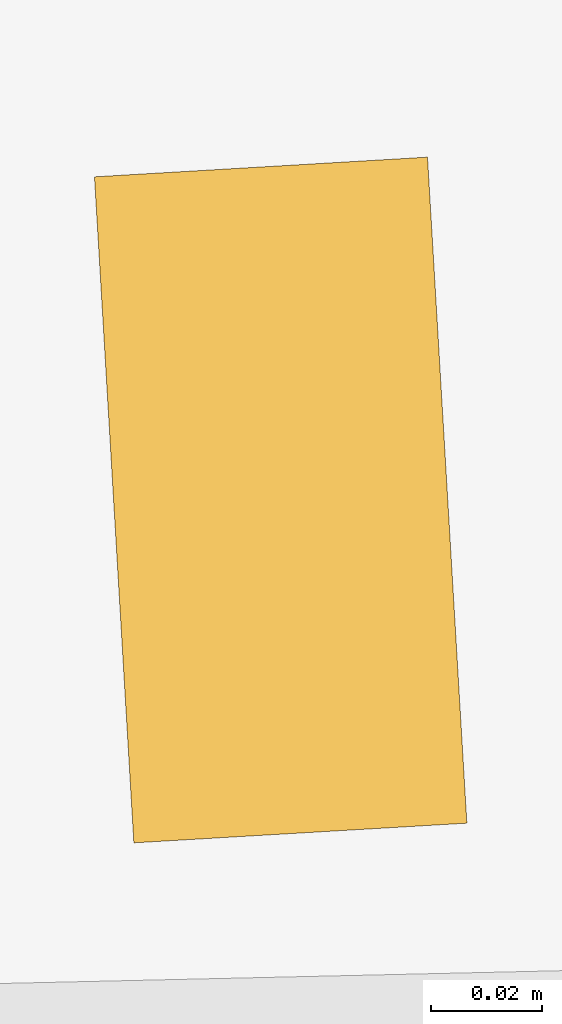
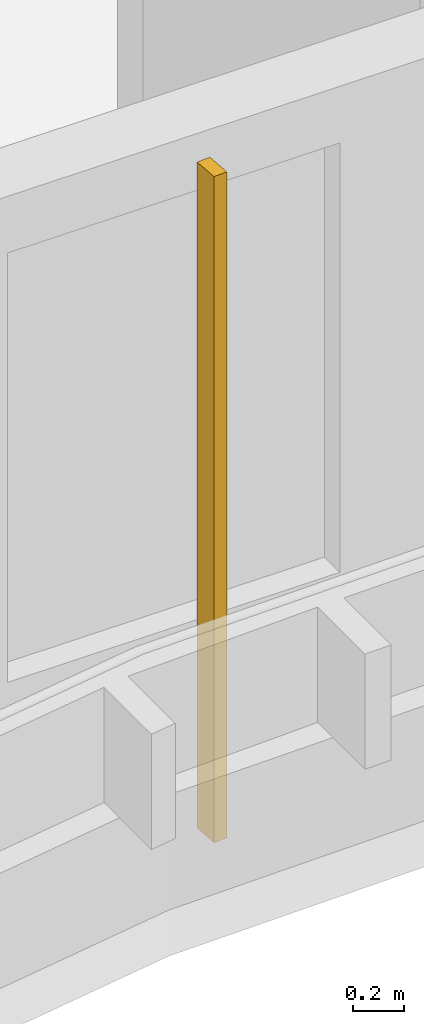
# One storey, part 15 of 20: 1 shading device.
"""IFC4 building model written with IfcOpenShell, lengths in metres."""

import ifcopenshell
import ifcopenshell.guid

model = None  # the IFC model being written
_history = None  # IfcOwnerHistory: only IFC2X3 demands one
_inside = {}  # id of a spatial element -> (the spatial element, [elements in it])
_under = {}  # id of a project, library or spatial element -> (it, [spatial elements below it])
_declared = {}  # id of a project -> (the project, [libraries it declares])
_typed = {}  # id of a type object -> (the type object, [elements of that type])
_made_of = {}  # id of a material, layer set ... -> (it, [elements and type objects made of it])


def new_model(schema):
    """Start an empty IFC model of exactly this schema.

    Asked for "IFC4X3", IfcOpenShell would pick the latest addendum, in which some entities
    have other attributes; the version numbers below select the first issue.
    IFC2X3 requires an IfcOwnerHistory on every rooted entity: one is made here for all.
    """
    global model, _history
    if schema == "IFC4X3":
        model = ifcopenshell.file(schema_version=(4, 3, 0, 0))
    else:
        model = ifcopenshell.file(schema=schema)
    _inside.clear()
    _under.clear()
    _declared.clear()
    _typed.clear()
    _made_of.clear()
    _history = None
    if model.schema == "IFC2X3":
        org = make("IfcOrganization", Name="unknown")
        user = make(
            "IfcPersonAndOrganization",
            ThePerson=make("IfcPerson", FamilyName="unknown"),
            TheOrganization=org,
        )
        app = make(
            "IfcApplication",
            ApplicationDeveloper=org,
            Version="unknown",
            ApplicationFullName="unknown",
            ApplicationIdentifier="unknown",
        )
        _history = make(
            "IfcOwnerHistory",
            OwningUser=user,
            OwningApplication=app,
            ChangeAction="ADDED",
            CreationDate=0,
        )
    return model


def make(cls, **values):
    """One entity of the class cls with the attributes given. An attribute that is None is left unset."""
    return model.create_entity(
        cls, **{name: value for name, value in values.items() if value is not None}
    )


def rooted(cls, **values):
    """An entity with a GlobalId (a new one), such as an element, a storey or a relation."""
    return make(cls, GlobalId=ifcopenshell.guid.new(), OwnerHistory=_history, **values)


def si_unit(unit_type, name, prefix=None):
    """IfcSIUnit, for example si_unit("LENGTHUNIT", "METRE", prefix="MILLI")."""
    return make("IfcSIUnit", UnitType=unit_type, Prefix=prefix, Name=name)


def assignment(units):
    """IfcUnitAssignment: the units of a project."""
    return None if units is None else make("IfcUnitAssignment", Units=units)


def point(xyz):
    """IfcCartesianPoint."""
    return None if xyz is None else make("IfcCartesianPoint", Coordinates=xyz)


def direction(xyz):
    """IfcDirection."""
    return None if xyz is None else make("IfcDirection", DirectionRatios=xyz)


def frame(location, z_axis=None, x_axis=None):
    """IfcAxis2Placement3D, a coordinate frame: its origin and axes. An axis left out is left unset."""
    return make(
        "IfcAxis2Placement3D",
        Location=point(location),
        Axis=direction(z_axis),
        RefDirection=direction(x_axis),
    )


def frame_2d(location, x_axis=None):
    """IfcAxis2Placement2D, a coordinate frame in the plane: its origin and x axis."""
    return make(
        "IfcAxis2Placement2D", Location=point(location), RefDirection=direction(x_axis)
    )


def origin():
    """The frame at (0, 0, 0) with its axes left unset."""
    return frame((0.0, 0.0, 0.0))


def origin_2d():
    """The frame at (0, 0) in the plane with its x axis left unset."""
    return frame_2d((0.0, 0.0))


def place(relative_to, where):
    """IfcLocalPlacement: puts the frame where relative to a parent placement (None: the world)."""
    return make(
        "IfcLocalPlacement", PlacementRelTo=relative_to, RelativePlacement=where
    )


def context(
    kind, dimensions, precision=None, world=None, true_north=None, identifier=None
):
    """IfcGeometricRepresentationContext, for example the 3D "Model" context."""
    return make(
        "IfcGeometricRepresentationContext",
        ContextIdentifier=identifier,
        ContextType=kind,
        CoordinateSpaceDimension=dimensions,
        Precision=precision,
        WorldCoordinateSystem=world,
        TrueNorth=true_north,
    )


def subcontext(parent, identifier, kind, view, scale=None):
    """IfcGeometricRepresentationSubContext, for example "Body" below "Model"."""
    return make(
        "IfcGeometricRepresentationSubContext",
        ContextIdentifier=identifier,
        ContextType=kind,
        ParentContext=parent,
        TargetScale=scale,
        TargetView=view,
    )


def project(units=None, contexts=None):
    """IfcProject with its units and contexts."""
    return rooted(
        "IfcProject",
        Name="project",
        RepresentationContexts=contexts,
        UnitsInContext=assignment(units),
    )


def spatial(cls, under=None, at=None, **own):
    """A site, building, storey or space (cls), placed at a placement, below another one or the project."""
    s = rooted(cls, ObjectPlacement=at, **own)
    if under is not None:
        _under.setdefault(under.id(), (under, []))[1].append(s)
    return s


def profile(cls, at=None, kind="AREA", **sizes):
    """A parametric profile (cls). Its sizes go by their IFC names, for example OverallWidth=200.0."""
    return make(cls, ProfileType=kind, Position=at, **sizes)


def rectangle(**sizes):
    """IfcRectangleProfileDef."""
    return profile("IfcRectangleProfileDef", **sizes)


def extrude(swept, where, along, depth):
    """IfcExtrudedAreaSolid: the profile swept, set in the frame where, extruded along a direction by depth."""
    return make(
        "IfcExtrudedAreaSolid",
        SweptArea=swept,
        Position=where,
        ExtrudedDirection=direction(along),
        Depth=depth,
    )


def shape(context_of_items, identifier, shape_type, items):
    """IfcShapeRepresentation: the items that make up one representation, for example the "Body"."""
    return make(
        "IfcShapeRepresentation",
        ContextOfItems=context_of_items,
        RepresentationIdentifier=identifier,
        RepresentationType=shape_type,
        Items=items,
    )


def source(mapping_origin, context_of_items, identifier, shape_type, items):
    """IfcRepresentationMap: a shape defined once, which mapped items show again and again."""
    return make(
        "IfcRepresentationMap",
        MappingOrigin=mapping_origin,
        MappedRepresentation=shape(context_of_items, identifier, shape_type, items),
    )


def transform(
    local_origin,
    x_axis=None,
    y_axis=None,
    z_axis=None,
    scale=None,
    scale2=None,
    scale3=None,
    uniform=True,
):
    """IfcCartesianTransformationOperator3D, or its non-uniform kind. x_axis, y_axis, z_axis: its Axis1, 2, 3."""
    if uniform:
        return make(
            "IfcCartesianTransformationOperator3D",
            Axis1=direction(x_axis),
            Axis2=direction(y_axis),
            LocalOrigin=point(local_origin),
            Scale=scale,
            Axis3=direction(z_axis),
        )
    return make(
        "IfcCartesianTransformationOperator3DnonUniform",
        Axis1=direction(x_axis),
        Axis2=direction(y_axis),
        LocalOrigin=point(local_origin),
        Scale=scale,
        Axis3=direction(z_axis),
        Scale2=scale2,
        Scale3=scale3,
    )


def mapped(mapping_source, mapping_target):
    """IfcMappedItem: shows the shape of a source again, moved by a transform."""
    return make(
        "IfcMappedItem", MappingSource=mapping_source, MappingTarget=mapping_target
    )


def material(Name=None, Category=None):
    """IfcMaterial."""
    return make("IfcMaterial", Name=Name, Category=Category)


def material_profile(
    of_material, cross_section, Name=None, Category=None, Priority=None
):
    """IfcMaterialProfile: a cross section and its material."""
    return make(
        "IfcMaterialProfile",
        Name=Name,
        Material=of_material,
        Profile=cross_section,
        Priority=Priority,
        Category=Category,
    )


def profile_set(profiles, Name=None, composite=None):
    """IfcMaterialProfileSet."""
    return make(
        "IfcMaterialProfileSet",
        Name=Name,
        MaterialProfiles=profiles,
        CompositeProfile=composite,
    )


def made_of(thing, what):
    """Note that an element or type object is made of a material, layer set ...; save() writes the relation."""
    if what is not None:
        _made_of.setdefault(what.id(), (what, []))[1].append(thing)
    return thing


def type_object(cls, material=None, **own):
    """A type object (cls), such as IfcWallType, which elements share."""
    return made_of(rooted(cls, **own), material)


def element(
    cls,
    number,
    at=None,
    inside=None,
    cuts=None,
    type_object=None,
    material=None,
    context=None,
    identifier="Body",
    shape_type=None,
    held_by="IfcProductDefinitionShape",
    body=None,
    shapes=None,
    **own,
):
    """One element of the class cls, such as IfcWall. Its Tag is "e" and its number.

    at: its placement. inside: the storey or other place that contains it. cuts: it is an
    opening in that element (IfcRelVoidsElement). A single representation is given by context,
    identifier, shape_type and body (its items); several are given by shapes. held_by: the class
    of the entity that holds the representations. save() writes the other relations.
    """
    e = rooted(cls, Tag="e%d" % number, ObjectPlacement=at, **own)
    if body is not None:
        shapes = [shape(context, identifier, shape_type, body)]
    if shapes is not None:
        e.Representation = make(held_by, Representations=shapes)
    if inside is not None:
        _inside.setdefault(inside.id(), (inside, []))[1].append(e)
    if cuts is not None:
        rooted(
            "IfcRelVoidsElement", RelatingBuildingElement=cuts, RelatedOpeningElement=e
        )
    if type_object is not None:
        _typed.setdefault(type_object.id(), (type_object, []))[1].append(e)
    return made_of(e, material)


def aggregate(whole, parts):
    """IfcRelAggregates: a whole, such as a stair, and the parts it consists of."""
    return rooted("IfcRelAggregates", RelatingObject=whole, RelatedObjects=parts)


def save(model, path):
    """Write the relations noted so far, then the file.

    IfcRelAggregates (storeys below a building ...), IfcRelContainedInSpatialStructure (elements
    in a storey), IfcRelDefinesByType, IfcRelAssociatesMaterial and IfcRelDeclares: one each for
    every whole, place, type object, material and project.
    """
    for whole, parts in _under.values():
        aggregate(whole, parts)
    for where, things in _inside.values():
        rooted(
            "IfcRelContainedInSpatialStructure",
            RelatedElements=things,
            RelatingStructure=where,
        )
    for kind, things in _typed.values():
        rooted("IfcRelDefinesByType", RelatedObjects=things, RelatingType=kind)
    for what, things in _made_of.values():
        rooted("IfcRelAssociatesMaterial", RelatedObjects=things, RelatingMaterial=what)
    for by, libraries in _declared.values():
        rooted("IfcRelDeclares", RelatingContext=by, RelatedDefinitions=libraries)
    model.write(path)


model = new_model("IFC4")

# Units and contexts
model_context = context("Model", 3, precision=1e-05, world=origin(), true_north=direction((0.0, 1.0)))
body_context = subcontext(model_context, "Body", "Model", "MODEL_VIEW")
ifc_project = project(units=[si_unit("LENGTHUNIT", "METRE"), si_unit("AREAUNIT", "SQUARE_METRE"), si_unit("VOLUMEUNIT", "CUBIC_METRE"), si_unit("PLANEANGLEUNIT", "RADIAN"), si_unit("MASSUNIT", "GRAM", prefix="KILO")], contexts=[model_context])

# Site, building, storey
site_placement = place(None, origin())
site = spatial("IfcSite", under=ifc_project, at=site_placement, CompositionType="ELEMENT")
building_placement = place(site_placement, origin())
building = spatial("IfcBuilding", under=site, at=building_placement, Name="Kilnfold Tower and Market Hall", CompositionType="ELEMENT")
storey_placement = place(building_placement, frame((0.0, 0.0, 239.0)))
storey = spatial("IfcBuildingStorey", under=building, at=storey_placement, Name="L57", CompositionType="ELEMENT", Elevation=239.0)

# Shading device
ifc_material = material(Name="Terracotta", Category="masonry")
ifc_material_profile = material_profile(ifc_material, rectangle(XDim=0.06005859375, YDim=0.1201171875, at=origin_2d()), Name="BAG 60x120")
ifc_profile_set = profile_set([ifc_material_profile], Name="Terracotta")
shading_device_type = type_object("IfcShadingDeviceType", Name="BAGUETTE", PredefinedType="USERDEFINED", material=ifc_profile_set)
shared_shape = source(origin(), body_context, "Body", "SweptSolid", [
    extrude(rectangle(XDim=0.06005859375, YDim=0.1201171875, at=origin_2d()), origin(), (0.0, 0.0, 1.0), 3.179931640625),
])
shading_device_placement = place(storey_placement, frame((10.074951171875, -18.800048828125, 0.0), z_axis=(0.0, 0.0, 1.0), x_axis=(0.99825686554, 0.059018898687, 0.0)))
element("IfcShadingDevice", 1, at=shading_device_placement, inside=storey, type_object=shading_device_type, Name="Terracotta baguette L57 S", ObjectType="BAGUETTE", PredefinedType="USERDEFINED", context=body_context, shape_type="MappedRepresentation", body=[
    mapped(shared_shape, transform((0.0, 0.0, 0.0))),
])

save(model, "model.ifc")
